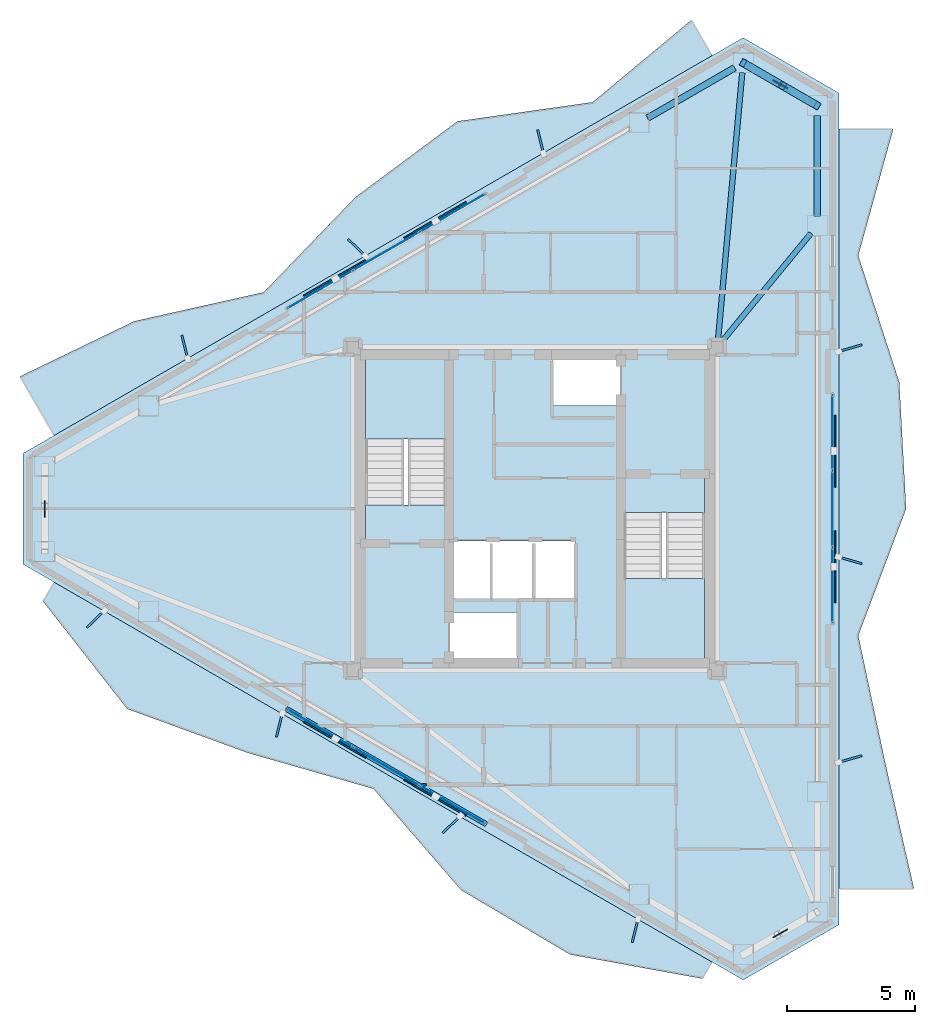
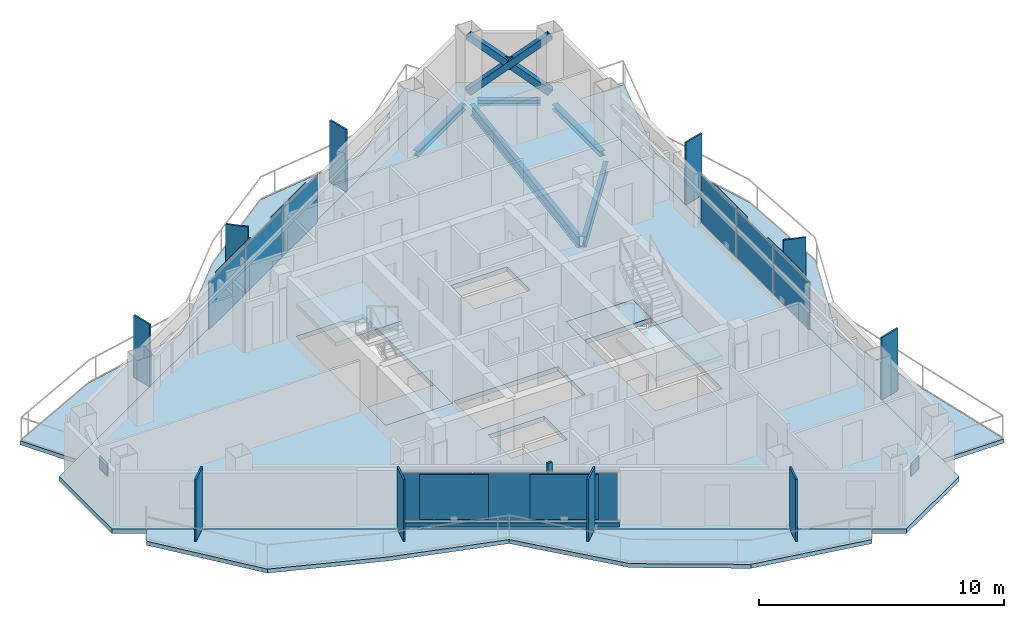
# One storey, part 15 of 22: 28 plates, 8 slabs, 5 beams, 3 members, 2 walls, 5 elements without a shape of their own.
"""IFC4 building model written with IfcOpenShell, lengths in metres."""

import ifcopenshell
import ifcopenshell.guid

model = None  # the IFC model being written
_history = None  # IfcOwnerHistory: only IFC2X3 demands one
_inside = {}  # id of a spatial element -> (the spatial element, [elements in it])
_under = {}  # id of a project, library or spatial element -> (it, [spatial elements below it])
_declared = {}  # id of a project -> (the project, [libraries it declares])
_typed = {}  # id of a type object -> (the type object, [elements of that type])
_made_of = {}  # id of a material, layer set ... -> (it, [elements and type objects made of it])


def new_model(schema):
    """Start an empty IFC model of exactly this schema.

    Asked for "IFC4X3", IfcOpenShell would pick the latest addendum, in which some entities
    have other attributes; the version numbers below select the first issue.
    IFC2X3 requires an IfcOwnerHistory on every rooted entity: one is made here for all.
    """
    global model, _history
    if schema == "IFC4X3":
        model = ifcopenshell.file(schema_version=(4, 3, 0, 0))
    else:
        model = ifcopenshell.file(schema=schema)
    _inside.clear()
    _under.clear()
    _declared.clear()
    _typed.clear()
    _made_of.clear()
    _history = None
    if model.schema == "IFC2X3":
        org = make("IfcOrganization", Name="unknown")
        user = make(
            "IfcPersonAndOrganization",
            ThePerson=make("IfcPerson", FamilyName="unknown"),
            TheOrganization=org,
        )
        app = make(
            "IfcApplication",
            ApplicationDeveloper=org,
            Version="unknown",
            ApplicationFullName="unknown",
            ApplicationIdentifier="unknown",
        )
        _history = make(
            "IfcOwnerHistory",
            OwningUser=user,
            OwningApplication=app,
            ChangeAction="ADDED",
            CreationDate=0,
        )
    return model


def make(cls, **values):
    """One entity of the class cls with the attributes given. An attribute that is None is left unset."""
    return model.create_entity(
        cls, **{name: value for name, value in values.items() if value is not None}
    )


def rooted(cls, **values):
    """An entity with a GlobalId (a new one), such as an element, a storey or a relation."""
    return make(cls, GlobalId=ifcopenshell.guid.new(), OwnerHistory=_history, **values)


def si_unit(unit_type, name, prefix=None):
    """IfcSIUnit, for example si_unit("LENGTHUNIT", "METRE", prefix="MILLI")."""
    return make("IfcSIUnit", UnitType=unit_type, Prefix=prefix, Name=name)


def assignment(units):
    """IfcUnitAssignment: the units of a project."""
    return None if units is None else make("IfcUnitAssignment", Units=units)


def point(xyz):
    """IfcCartesianPoint."""
    return None if xyz is None else make("IfcCartesianPoint", Coordinates=xyz)


def direction(xyz):
    """IfcDirection."""
    return None if xyz is None else make("IfcDirection", DirectionRatios=xyz)


def frame(location, z_axis=None, x_axis=None):
    """IfcAxis2Placement3D, a coordinate frame: its origin and axes. An axis left out is left unset."""
    return make(
        "IfcAxis2Placement3D",
        Location=point(location),
        Axis=direction(z_axis),
        RefDirection=direction(x_axis),
    )


def frame_2d(location, x_axis=None):
    """IfcAxis2Placement2D, a coordinate frame in the plane: its origin and x axis."""
    return make(
        "IfcAxis2Placement2D", Location=point(location), RefDirection=direction(x_axis)
    )


def origin():
    """The frame at (0, 0, 0) with its axes left unset."""
    return frame((0.0, 0.0, 0.0))


def origin_2d():
    """The frame at (0, 0) in the plane with its x axis left unset."""
    return frame_2d((0.0, 0.0))


def place(relative_to, where):
    """IfcLocalPlacement: puts the frame where relative to a parent placement (None: the world)."""
    return make(
        "IfcLocalPlacement", PlacementRelTo=relative_to, RelativePlacement=where
    )


def context(
    kind, dimensions, precision=None, world=None, true_north=None, identifier=None
):
    """IfcGeometricRepresentationContext, for example the 3D "Model" context."""
    return make(
        "IfcGeometricRepresentationContext",
        ContextIdentifier=identifier,
        ContextType=kind,
        CoordinateSpaceDimension=dimensions,
        Precision=precision,
        WorldCoordinateSystem=world,
        TrueNorth=true_north,
    )


def subcontext(parent, identifier, kind, view, scale=None):
    """IfcGeometricRepresentationSubContext, for example "Body" below "Model"."""
    return make(
        "IfcGeometricRepresentationSubContext",
        ContextIdentifier=identifier,
        ContextType=kind,
        ParentContext=parent,
        TargetScale=scale,
        TargetView=view,
    )


def project(units=None, contexts=None):
    """IfcProject with its units and contexts."""
    return rooted(
        "IfcProject",
        Name="project",
        RepresentationContexts=contexts,
        UnitsInContext=assignment(units),
    )


def spatial(cls, under=None, at=None, **own):
    """A site, building, storey or space (cls), placed at a placement, below another one or the project."""
    s = rooted(cls, ObjectPlacement=at, **own)
    if under is not None:
        _under.setdefault(under.id(), (under, []))[1].append(s)
    return s


def polyline(points):
    """IfcPolyline through the points."""
    return make("IfcPolyline", Points=[point(p) for p in points])


def profile(cls, at=None, kind="AREA", **sizes):
    """A parametric profile (cls). Its sizes go by their IFC names, for example OverallWidth=200.0."""
    return make(cls, ProfileType=kind, Position=at, **sizes)


def rectangle(**sizes):
    """IfcRectangleProfileDef."""
    return profile("IfcRectangleProfileDef", **sizes)


def hollow_rectangle(**sizes):
    """IfcRectangleHollowProfileDef."""
    return profile("IfcRectangleHollowProfileDef", **sizes)


def i_section(**sizes):
    """IfcIShapeProfileDef."""
    return profile("IfcIShapeProfileDef", **sizes)


def outline(outer, holes=None, kind="AREA"):
    """IfcArbitraryClosedProfileDef: a profile drawn as a closed curve; with holes, ...WithVoids."""
    if holes is None:
        return make("IfcArbitraryClosedProfileDef", ProfileType=kind, OuterCurve=outer)
    return make(
        "IfcArbitraryProfileDefWithVoids",
        ProfileType=kind,
        OuterCurve=outer,
        InnerCurves=holes,
    )


def extrude(swept, where, along, depth):
    """IfcExtrudedAreaSolid: the profile swept, set in the frame where, extruded along a direction by depth."""
    return make(
        "IfcExtrudedAreaSolid",
        SweptArea=swept,
        Position=where,
        ExtrudedDirection=direction(along),
        Depth=depth,
    )


def shape(context_of_items, identifier, shape_type, items):
    """IfcShapeRepresentation: the items that make up one representation, for example the "Body"."""
    return make(
        "IfcShapeRepresentation",
        ContextOfItems=context_of_items,
        RepresentationIdentifier=identifier,
        RepresentationType=shape_type,
        Items=items,
    )


def material(Name=None, Category=None):
    """IfcMaterial."""
    return make("IfcMaterial", Name=Name, Category=Category)


def layer(
    of_material, thickness, ventilated=None, Name=None, Category=None, Priority=None
):
    """IfcMaterialLayer: one layer of a wall or slab, of a material (None: an air gap)."""
    return make(
        "IfcMaterialLayer",
        Material=of_material,
        LayerThickness=thickness,
        IsVentilated=ventilated,
        Name=Name,
        Category=Category,
        Priority=Priority,
    )


def layer_set(layers, Name=None):
    """IfcMaterialLayerSet."""
    return make("IfcMaterialLayerSet", MaterialLayers=layers, LayerSetName=Name)


def material_profile(
    of_material, cross_section, Name=None, Category=None, Priority=None
):
    """IfcMaterialProfile: a cross section and its material."""
    return make(
        "IfcMaterialProfile",
        Name=Name,
        Material=of_material,
        Profile=cross_section,
        Priority=Priority,
        Category=Category,
    )


def profile_set(profiles, Name=None, composite=None):
    """IfcMaterialProfileSet."""
    return make(
        "IfcMaterialProfileSet",
        Name=Name,
        MaterialProfiles=profiles,
        CompositeProfile=composite,
    )


def made_of(thing, what):
    """Note that an element or type object is made of a material, layer set ...; save() writes the relation."""
    if what is not None:
        _made_of.setdefault(what.id(), (what, []))[1].append(thing)
    return thing


def type_object(cls, material=None, **own):
    """A type object (cls), such as IfcWallType, which elements share."""
    return made_of(rooted(cls, **own), material)


def element(
    cls,
    number,
    at=None,
    inside=None,
    cuts=None,
    type_object=None,
    material=None,
    context=None,
    identifier="Body",
    shape_type=None,
    held_by="IfcProductDefinitionShape",
    body=None,
    shapes=None,
    **own,
):
    """One element of the class cls, such as IfcWall. Its Tag is "e" and its number.

    at: its placement. inside: the storey or other place that contains it. cuts: it is an
    opening in that element (IfcRelVoidsElement). A single representation is given by context,
    identifier, shape_type and body (its items); several are given by shapes. held_by: the class
    of the entity that holds the representations. save() writes the other relations.
    """
    e = rooted(cls, Tag="e%d" % number, ObjectPlacement=at, **own)
    if body is not None:
        shapes = [shape(context, identifier, shape_type, body)]
    if shapes is not None:
        e.Representation = make(held_by, Representations=shapes)
    if inside is not None:
        _inside.setdefault(inside.id(), (inside, []))[1].append(e)
    if cuts is not None:
        rooted(
            "IfcRelVoidsElement", RelatingBuildingElement=cuts, RelatedOpeningElement=e
        )
    if type_object is not None:
        _typed.setdefault(type_object.id(), (type_object, []))[1].append(e)
    return made_of(e, material)


def aggregate(whole, parts):
    """IfcRelAggregates: a whole, such as a stair, and the parts it consists of."""
    return rooted("IfcRelAggregates", RelatingObject=whole, RelatedObjects=parts)


def save(model, path):
    """Write the relations noted so far, then the file.

    IfcRelAggregates (storeys below a building ...), IfcRelContainedInSpatialStructure (elements
    in a storey), IfcRelDefinesByType, IfcRelAssociatesMaterial and IfcRelDeclares: one each for
    every whole, place, type object, material and project.
    """
    for whole, parts in _under.values():
        aggregate(whole, parts)
    for where, things in _inside.values():
        rooted(
            "IfcRelContainedInSpatialStructure",
            RelatedElements=things,
            RelatingStructure=where,
        )
    for kind, things in _typed.values():
        rooted("IfcRelDefinesByType", RelatedObjects=things, RelatingType=kind)
    for what, things in _made_of.values():
        rooted("IfcRelAssociatesMaterial", RelatedObjects=things, RelatingMaterial=what)
    for by, libraries in _declared.values():
        rooted("IfcRelDeclares", RelatingContext=by, RelatedDefinitions=libraries)
    model.write(path)


model = new_model("IFC4")

# Units and contexts
model_context = context("Model", 3, precision=1e-05, world=origin(), true_north=direction((0.0, 1.0)))
body_context = subcontext(model_context, "Body", "Model", "MODEL_VIEW")
ifc_project = project(units=[si_unit("LENGTHUNIT", "METRE"), si_unit("AREAUNIT", "SQUARE_METRE"), si_unit("VOLUMEUNIT", "CUBIC_METRE"), si_unit("PLANEANGLEUNIT", "RADIAN"), si_unit("MASSUNIT", "GRAM", prefix="KILO")], contexts=[model_context])

# Site, building, storey
site_placement = place(None, origin())
site = spatial("IfcSite", under=ifc_project, at=site_placement, CompositionType="ELEMENT")
building_placement = place(site_placement, origin())
building = spatial("IfcBuilding", under=site, at=building_placement, Name="Mersakhor Tower and Convention Hall", CompositionType="ELEMENT")
storey_placement = place(building_placement, frame((0.0, 0.0, 205.199951171875)))
storey = spatial("IfcBuildingStorey", under=building, at=storey_placement, Name="L57", CompositionType="ELEMENT", Elevation=205.199951171875)

# Beams
ifc_material_1 = material(Name="Steel S355", Category="steel")
ifc_material_profile_1 = material_profile(ifc_material_1, i_section(OverallWidth=0.2099609375, OverallDepth=0.53662109375, WebThickness=0.0107421875, FlangeThickness=0.017333984375, at=origin_2d()), Name="UB 533x210x101")
ifc_profile_set_1 = profile_set([ifc_material_profile_1], Name="Steel S355")
beam_type_1 = type_object("IfcBeamType", Name="BM-FB-533", PredefinedType="BEAM", material=ifc_profile_set_1)
beam_1_placement = place(storey_placement, frame((36.125244140625, 33.328857421875, -0.498291015625), z_axis=(0.090367269821, 0.99590850812, 0.0), x_axis=(-0.99590850812, 0.090367269821, 0.0)))
element("IfcBeam", 1, at=beam_1_placement, inside=storey, type_object=beam_type_1, Name="L57 Primary Floor Girder FG-2", PredefinedType="BEAM", context=body_context, shape_type="SweptSolid", body=[
    extrude(i_section(OverallWidth=0.2099609375, OverallDepth=0.53662109375, WebThickness=0.0107421875, FlangeThickness=0.017333984375, at=origin_2d()), origin(), (0.0, 0.0, 1.0), 10.45263671875),
])
beam_2_placement = place(storey_placement, frame((36.278076171875, 33.26611328125, -0.498291015625), z_axis=(0.635588076211, 0.772028365657, 0.0), x_axis=(-0.772028365657, 0.635588076211, 0.0)))
element("IfcBeam", 2, at=beam_2_placement, inside=storey, type_object=beam_type_1, Name="L57 Primary Floor Girder FG-3", PredefinedType="BEAM", context=body_context, shape_type="SweptSolid", body=[
    extrude(i_section(OverallWidth=0.2099609375, OverallDepth=0.53662109375, WebThickness=0.0107421875, FlangeThickness=0.017333984375, at=origin_2d()), origin(), (0.0, 0.0, 1.0), 5.45751953125),
])
ifc_material_2 = material(Name="Steel S355", Category="steel")
ifc_material_profile_2 = material_profile(ifc_material_2, i_section(OverallWidth=0.25634765625, OverallDepth=0.26025390625, WebThickness=0.01025390625, FlangeThickness=0.017333984375, at=origin_2d()), Name="UC 254x254x89")
ifc_profile_set_2 = profile_set([ifc_material_profile_2], Name="Steel S355")
beam_type_2 = type_object("IfcBeamType", Name="BM-SPD-UC254", PredefinedType="SPANDREL", material=ifc_profile_set_2)
beam_3_placement = place(storey_placement, frame((33.380859375, 41.967529296875, -0.360107421875), z_axis=(0.866007153761, 0.500031608635, 0.0), x_axis=(-0.500031608635, 0.866007153761, 0.0)))
element("IfcBeam", 3, at=beam_3_placement, inside=storey, type_object=beam_type_2, Name="L57 Perimeter Spandrel Beam SPB-03", PredefinedType="SPANDREL", context=body_context, shape_type="SweptSolid", body=[
    extrude(i_section(OverallWidth=0.25634765625, OverallDepth=0.26025390625, WebThickness=0.01025390625, FlangeThickness=0.017333984375, at=origin_2d()), origin(), (0.0, 0.0, 1.0), 3.919189453125),
])
beam_4_placement = place(storey_placement, frame((37.43310546875, 43.92724609375, -0.360107421875), z_axis=(0.866036909293, -0.499980071345, 0.0), x_axis=(0.499980071345, 0.866036909293, 0.0)))
element("IfcBeam", 4, at=beam_4_placement, inside=storey, type_object=beam_type_2, Name="L57 Perimeter Spandrel Beam SPB-04", PredefinedType="SPANDREL", context=body_context, shape_type="SweptSolid", body=[
    extrude(i_section(OverallWidth=0.25634765625, OverallDepth=0.26025390625, WebThickness=0.01025390625, FlangeThickness=0.017333984375, at=origin_2d()), origin(), (0.0, 0.0, 1.0), 2.5703125),
])
beam_5_placement = place(storey_placement, frame((39.98828125, 42.072021484375, -0.360107421875), z_axis=(0.0, -1.0, 0.0), x_axis=(1.0, 0.0, 0.0)))
element("IfcBeam", 5, at=beam_5_placement, inside=storey, type_object=beam_type_2, Name="L57 Perimeter Spandrel Beam SPB-05", PredefinedType="SPANDREL", context=body_context, shape_type="SweptSolid", body=[
    extrude(i_section(OverallWidth=0.25634765625, OverallDepth=0.26025390625, WebThickness=0.01025390625, FlangeThickness=0.017333984375, at=origin_2d()), origin(), (0.0, 0.0, 1.0), 3.919189453125),
])

# Members
ifc_material_3 = material(Name="Steel S355", Category="steel")
ifc_material_profile_3 = material_profile(ifc_material_3, hollow_rectangle(XDim=0.300048828125, YDim=0.300048828125, WallThickness=0.01611328125, at=origin_2d()), Name="SHS 300x300x16")
ifc_profile_set_3 = profile_set([ifc_material_profile_3], Name="Steel S355")
member_type = type_object("IfcMemberType", Name="MB-BRC-SHS300", PredefinedType="BRACE", material=ifc_profile_set_3)
member_1_placement = place(storey_placement, frame((37.10400390625, 44.1171875, 0.150146484375), z_axis=(0.665824923443, -0.384424564314, 0.639448923429), x_axis=(0.50001011158, 0.866019565782, 0.0)))
element("IfcMember", 6, at=member_1_placement, inside=storey, type_object=member_type, Name="L57 Chamfer Braced Frame Diagonal CB-1A", PredefinedType="BRACE", context=body_context, shape_type="SweptSolid", body=[
    extrude(hollow_rectangle(XDim=0.300048828125, YDim=0.300048828125, WallThickness=0.01611328125, at=origin_2d()), origin(), (0.0, 0.0, 1.0), 4.331787109375),
])
member_2_placement = place(storey_placement, frame((39.98828125, 42.451904296875, 0.150146484375), z_axis=(-0.665763296387, 0.384506307606, 0.639463941592), x_axis=(-0.500124558158, -0.865953478154, 0.0)))
element("IfcMember", 7, at=member_2_placement, inside=storey, type_object=member_type, Name="L57 Chamfer Braced Frame Diagonal CB-1B Lower Half", PredefinedType="BRACE", context=body_context, shape_type="SweptSolid", body=[
    extrude(hollow_rectangle(XDim=0.300048828125, YDim=0.300048828125, WallThickness=0.01611328125, at=origin_2d()), origin(), (0.0, 0.0, 1.0), 2.005126953125),
])
member_3_placement = place(storey_placement, frame((38.439208984375, 43.34619140625, 1.6376953125), z_axis=(-0.665779245823, 0.384445210881, 0.639484069905), x_axis=(-0.50005597947, -0.86599308161, 0.0)))
element("IfcMember", 8, at=member_3_placement, inside=storey, type_object=member_type, Name="L57 Chamfer Braced Frame Diagonal CB-1B Upper Half", PredefinedType="BRACE", context=body_context, shape_type="SweptSolid", body=[
    extrude(hollow_rectangle(XDim=0.300048828125, YDim=0.300048828125, WallThickness=0.01611328125, at=origin_2d()), origin(), (0.0, 0.0, 1.0), 2.00537109375),
])

# Curtain wall, plates
ifc_material_4 = material(Name="Dark solar low-E aluminium curtain wall", Category="aluminium")
ifc_layer_1 = layer(ifc_material_4, 0.169921875)
ifc_layer_set_1 = layer_set([ifc_layer_1], Name="Dark solar low-E aluminium curtain wall")
curtain_wall_type = type_object("IfcCurtainWallType", Name="CW-SYS-02", PredefinedType="USERDEFINED", material=ifc_layer_set_1)
curtain_wall_1_placement = place(storey_placement, origin())
curtain_wall_1 = element("IfcCurtainWall", 9, at=curtain_wall_1_placement, inside=storey, type_object=curtain_wall_type, Name="L57 Dark-Glass Curtain Wall F1-B2", ObjectType="CURTAIN WALL", PredefinedType="USERDEFINED")
ifc_material_5 = material(Name="Dark solar double glazing", Category="glass")
ifc_layer_2 = layer(ifc_material_5, 0.028076171875)
ifc_layer_set_2 = layer_set([ifc_layer_2], Name="Dark solar double glazing")
plate_type_1 = type_object("IfcPlateType", Name="CWP-GLZ-28", PredefinedType="CURTAIN_PANEL", material=ifc_layer_set_2)
plate_1_placement = place(storey_placement, frame((20.624267578125, 35.29541015625, 0.260009765625), z_axis=(0.0, 0.0, 1.0), x_axis=(0.86602088627, 0.500007824483, 0.0)))
plate_1 = element("IfcPlate", 10, at=plate_1_placement, type_object=plate_type_1, Name="CW-02 panel 1.1", PredefinedType="CURTAIN_PANEL", context=body_context, shape_type="SweptSolid", body=[
    extrude(rectangle(XDim=2.88720703125, YDim=0.028076171875, at=origin_2d()), origin(), (0.0, 0.0, 1.0), 2.3701171875),
])
plate_2_placement = place(storey_placement, frame((23.205810546875, 36.785888671875, 0.260009765625), z_axis=(0.0, 0.0, 1.0), x_axis=(0.86602088627, 0.500007824483, 0.0)))
plate_2 = element("IfcPlate", 11, at=plate_2_placement, type_object=plate_type_1, Name="CW-02 panel 2.1", PredefinedType="CURTAIN_PANEL", context=body_context, shape_type="SweptSolid", body=[
    extrude(rectangle(XDim=2.924560546875, YDim=0.028076171875, at=origin_2d()), origin(), (0.0, 0.0, 1.0), 2.3701171875),
])
plate_3_placement = place(storey_placement, frame((25.787353515625, 38.2763671875, 0.260009765625), z_axis=(0.0, 0.0, 1.0), x_axis=(0.86602088627, 0.500007824483, 0.0)))
plate_3 = element("IfcPlate", 12, at=plate_3_placement, type_object=plate_type_1, Name="CW-02 panel 3.1", PredefinedType="CURTAIN_PANEL", context=body_context, shape_type="SweptSolid", body=[
    extrude(rectangle(XDim=2.88720703125, YDim=0.028076171875, at=origin_2d()), origin(), (0.0, 0.0, 1.0), 2.3701171875),
])
aggregate(curtain_wall_1, [plate_1, plate_2, plate_3])

curtain_wall_2_placement = place(storey_placement, origin())
curtain_wall_2 = element("IfcCurtainWall", 13, at=curtain_wall_2_placement, inside=storey, type_object=curtain_wall_type, Name="L57 Dark-Glass Curtain Wall F2-B2", ObjectType="CURTAIN WALL", PredefinedType="USERDEFINED")
plate_4_placement = place(storey_placement, frame((40.58837890625, 29.73095703125, 0.260009765625), z_axis=(0.0, 0.0, 1.0), x_axis=(0.0, -1.0, 0.0)))
plate_4 = element("IfcPlate", 14, at=plate_4_placement, type_object=plate_type_1, Name="CW-02 panel 1.1", PredefinedType="CURTAIN_PANEL", context=body_context, shape_type="SweptSolid", body=[
    extrude(rectangle(XDim=2.88720703125, YDim=0.028076171875, at=origin_2d()), origin(), (0.0, 0.0, 1.0), 2.3701171875),
])
plate_5_placement = place(storey_placement, frame((40.58837890625, 26.75, 0.260009765625), z_axis=(0.0, 0.0, 1.0), x_axis=(0.0, -1.0, 0.0)))
plate_5 = element("IfcPlate", 15, at=plate_5_placement, type_object=plate_type_1, Name="CW-02 panel 2.1", PredefinedType="CURTAIN_PANEL", context=body_context, shape_type="SweptSolid", body=[
    extrude(rectangle(XDim=2.924560546875, YDim=0.028076171875, at=origin_2d()), origin(), (0.0, 0.0, 1.0), 2.3701171875),
])
plate_6_placement = place(storey_placement, frame((40.58837890625, 23.76904296875, 0.260009765625), z_axis=(0.0, 0.0, 1.0), x_axis=(0.0, -1.0, 0.0)))
plate_6 = element("IfcPlate", 16, at=plate_6_placement, type_object=plate_type_1, Name="CW-02 panel 3.1", PredefinedType="CURTAIN_PANEL", context=body_context, shape_type="SweptSolid", body=[
    extrude(rectangle(XDim=2.88720703125, YDim=0.028076171875, at=origin_2d()), origin(), (0.0, 0.0, 1.0), 2.3701171875),
])
aggregate(curtain_wall_2, [plate_4, plate_5, plate_6])

curtain_wall_3_placement = place(storey_placement, origin())
curtain_wall_3 = element("IfcCurtainWall", 17, at=curtain_wall_3_placement, inside=storey, type_object=curtain_wall_type, Name="L57 Dark-Glass Curtain Wall F3-B2", ObjectType="CURTAIN WALL", PredefinedType="USERDEFINED")
plate_7_placement = place(storey_placement, frame((25.787353515625, 15.2236328125, 0.260009765625), z_axis=(0.0, 0.0, 1.0), x_axis=(-0.86602088627, 0.500007824483, 0.0)))
plate_7 = element("IfcPlate", 18, at=plate_7_placement, type_object=plate_type_1, Name="CW-02 panel 1.1", PredefinedType="CURTAIN_PANEL", context=body_context, shape_type="SweptSolid", body=[
    extrude(rectangle(XDim=2.88720703125, YDim=0.028076171875, at=origin_2d()), origin(), (0.0, 0.0, 1.0), 2.3701171875),
])
plate_8_placement = place(storey_placement, frame((23.205810546875, 16.714111328125, 0.260009765625), z_axis=(0.0, 0.0, 1.0), x_axis=(-0.86602088627, 0.500007824483, 0.0)))
plate_8 = element("IfcPlate", 19, at=plate_8_placement, type_object=plate_type_1, Name="CW-02 panel 2.1", PredefinedType="CURTAIN_PANEL", context=body_context, shape_type="SweptSolid", body=[
    extrude(rectangle(XDim=2.924560546875, YDim=0.028076171875, at=origin_2d()), origin(), (0.0, 0.0, 1.0), 2.3701171875),
])
plate_9_placement = place(storey_placement, frame((20.624267578125, 18.20458984375, 0.260009765625), z_axis=(0.0, 0.0, 1.0), x_axis=(-0.86602088627, 0.500007824483, 0.0)))
plate_9 = element("IfcPlate", 20, at=plate_9_placement, type_object=plate_type_1, Name="CW-02 panel 3.1", PredefinedType="CURTAIN_PANEL", context=body_context, shape_type="SweptSolid", body=[
    extrude(rectangle(XDim=2.88720703125, YDim=0.028076171875, at=origin_2d()), origin(), (0.0, 0.0, 1.0), 2.3701171875),
])
aggregate(curtain_wall_3, [plate_7, plate_8, plate_9])

# Plates
ifc_material_6 = material(Name="Ceramic-clad aluminium Zone 4 terracotta-coral", Category="masonry")
ifc_material_7 = material(Name="Ceramic-clad aluminium Zone 1 cobalt-slate", Category="masonry")
ifc_layer_3 = layer(ifc_material_7, 0.080078125)
ifc_layer_set_3 = layer_set([ifc_layer_3], Name="Ceramic-clad aluminium Zone 1 cobalt-slate")
plate_type_2 = type_object("IfcPlateType", Name="PL-FIN-80", PredefinedType="USERDEFINED", material=ifc_layer_set_3)
for number, where, z_axis, x_axis, name in (
    (21, (15.361083984375, 33.049560546875, 0.0), (0.0, 0.0, 1.0), (-0.2419218956, 0.970295726276, 0.0), "L57 Zone 4 Coloured Brise-Soleil Fin F1-1"),
    (22, (22.0625, 36.918701171875, 0.0), (0.0, 0.0, 1.0), (-0.719339800339, 0.694658370459, 0.0), "L57 Zone 4 Coloured Brise-Soleil Fin F1-2"),
    (23, (29.217529296875, 41.049560546875, 0.0), (0.0, 0.0, 1.0), (-0.2419218956, 0.970295726276, 0.0), "L57 Zone 4 Coloured Brise-Soleil Fin F1-3"),
    (24, (41.27490234375, 33.007080078125, 0.0), (0.0, 0.0, 1.0), (0.961261695938, 0.275637355817, 0.0), "L57 Zone 4 Coloured Brise-Soleil Fin F2-1"),
    (25, (41.27490234375, 24.7451171875, 0.0), (0.0, 0.0, 1.0), (0.961261695938, -0.275637355817, 0.0), "L57 Zone 4 Coloured Brise-Soleil Fin F2-2"),
    (26, (41.27490234375, 17.007080078125, 0.0), (0.0, 0.0, 1.0), (0.961261695938, 0.275637355817, 0.0), "L57 Zone 4 Coloured Brise-Soleil Fin F2-3"),
    (27, (32.89990234375, 10.324462890625, 0.0), (0.0, 0.0, 1.0), (-0.2419218956, -0.970295726276, 0.0), "L57 Zone 4 Coloured Brise-Soleil Fin F3-1"),
    (28, (25.7451171875, 14.455322265625, 0.0), (0.0, 0.0, 1.0), (-0.719339800339, -0.694658370459, 0.0), "L57 Zone 4 Coloured Brise-Soleil Fin F3-2"),
    (29, (19.043701171875, 18.324462890625, 0.0), (0.0, 0.0, 1.0), (-0.2419218956, -0.970295726276, 0.0), "L57 Zone 4 Coloured Brise-Soleil Fin F3-3"),
    (30, (11.888671875, 22.455322265625, 0.0), (0.0, 0.0, 1.0), (-0.719339800339, -0.694658370459, 0.0), "L57 Zone 4 Coloured Brise-Soleil Fin F3-4"),
):
    element("IfcPlate", number, at=place(storey_placement, frame(where, z_axis=z_axis, x_axis=x_axis)), inside=storey, type_object=plate_type_2, material=ifc_material_6, Name=name, ObjectType="FIN", PredefinedType="USERDEFINED", context=body_context, shape_type="SweptSolid", body=[
        extrude(rectangle(XDim=0.949951171875, YDim=0.080078125, at=origin_2d()), origin(), (0.0, 0.0, 1.0), 3.10009765625),
    ])
ifc_material_8 = material(Name="Steel S460", Category="steel")
ifc_layer_4 = layer(ifc_material_8, 0.0400390625)
ifc_layer_set_4 = layer_set([ifc_layer_4], Name="Steel S460")
plate_type_3 = type_object("IfcPlateType", Name="PL-GUSSET-40", PredefinedType="SHEET", material=ifc_layer_set_4)
for number, where, z_axis, x_axis, name in (
    (31, (38.54638671875, 43.28466796875, 1.21533203125), (0.0, 0.0, 1.0), (-0.866025403784, 0.5, 0.0), "L57 X-Brace Crossing Gusset Node Plate"),
    (32, (38.54638671875, 10.21533203125, 1.21533203125), (0.0, 0.0, 1.0), (0.866025403784, 0.5, 0.0), "L57 X-Brace Crossing Gusset Node Plate"),
    (33, (9.907470703125, 26.75, 1.21533203125), (0.0, 0.0, 1.0), (0.0, -1.0, 0.0), "L57 X-Brace Crossing Gusset Node Plate"),
):
    element("IfcPlate", number, at=place(storey_placement, frame(where, z_axis=z_axis, x_axis=x_axis)), inside=storey, type_object=plate_type_3, Name=name, PredefinedType="SHEET", context=body_context, shape_type="SweptSolid", body=[
        extrude(rectangle(XDim=0.639892578125, YDim=0.0400390625, at=origin_2d()), origin(), (0.0, 0.0, 1.0), 0.639892578125),
    ])
ifc_material_9 = material(Name="Perforated ceramic cobogo solar screen", Category="aluminium")
ifc_layer_5 = layer(ifc_material_9, 0.055908203125)
ifc_layer_set_5 = layer_set([ifc_layer_5], Name="Perforated ceramic cobogo solar screen")
plate_type_4 = type_object("IfcPlateType", Name="PL-SCR-56", PredefinedType="USERDEFINED", material=ifc_layer_set_5)
for number, where, z_axis, x_axis, name in (
    (34, (21.20849609375, 35.745849609375, 0.39990234375), (0.0, 0.0, 1.0), (0.866025403784, 0.5, 0.0), "L57 Perforated Ceramic Solar Screen F1-1"),
    (35, (25.10498046875, 37.99560546875, 0.39990234375), (0.0, 0.0, 1.0), (0.866025403784, 0.5, 0.0), "L57 Perforated Ceramic Solar Screen F1-2"),
    (36, (40.686279296875, 28.999755859375, 0.39990234375), (0.0, 0.0, 1.0), (0.0, -1.0, 0.0), "L57 Perforated Ceramic Solar Screen F2-1"),
    (37, (40.686279296875, 24.500244140625, 0.39990234375), (0.0, 0.0, 1.0), (0.0, -1.0, 0.0), "L57 Perforated Ceramic Solar Screen F2-2"),
    (38, (25.10498046875, 15.50439453125, 0.39990234375), (0.0, 0.0, 1.0), (-0.866025403784, 0.5, 0.0), "L57 Perforated Ceramic Solar Screen F3-1"),
    (39, (21.20849609375, 17.754150390625, 0.39990234375), (0.0, 0.0, 1.0), (-0.866025403784, 0.5, 0.0), "L57 Perforated Ceramic Solar Screen F3-2"),
):
    element("IfcPlate", number, at=place(storey_placement, frame(where, z_axis=z_axis, x_axis=x_axis)), inside=storey, type_object=plate_type_4, Name=name, ObjectType="SCREEN", PredefinedType="USERDEFINED", context=body_context, shape_type="SweptSolid", body=[
        extrude(rectangle(XDim=2.800048828125, YDim=0.055908203125, at=origin_2d()), origin(), (0.0, 0.0, 1.0), 2.239990234375),
    ])

# Slabs
ifc_material_10 = material(Name="Concrete C45/55", Category="concrete")
ifc_layer_6 = layer(ifc_material_10, 0.199951171875)
ifc_layer_set_6 = layer_set([ifc_layer_6], Name="Concrete C45/55")
slab_type_1 = type_object("IfcSlabType", Name="SL-BAL-200", PredefinedType="FLOOR", material=ifc_layer_set_6)
slab_1_placement = place(storey_placement, frame((0.0, 0.0, -0.199951171875)))
element("IfcSlab", 40, at=slab_1_placement, inside=storey, type_object=slab_type_1, Name="L57 Sinusoidal Balcony Slab Face 1", PredefinedType="FLOOR", context=body_context, shape_type="SweptSolid", body=[
    extrude(outline(polyline([(10.27001953125, 29.60595703125), (35.8916015625, 44.398681640625), (35.089599609375, 45.78759765625), (31.243896484375, 42.587158203125), (25.9794921875, 41.843505859375), (21.99560546875, 38.882080078125), (18.435546875, 35.186279296875), (13.3935546875, 34.057373046875), (8.942138671875, 31.90576171875), (10.27001953125, 29.60595703125)])), origin(), (0.0, 0.0, 1.0), 0.199951171875),
])
slab_2_placement = place(storey_placement, frame((0.0, 0.0, -0.199951171875)))
element("IfcSlab", 41, at=slab_2_placement, inside=storey, type_object=slab_type_1, Name="L57 Sinusoidal Balcony Slab Face 2", PredefinedType="FLOOR", context=body_context, shape_type="SweptSolid", body=[
    extrude(outline(polyline([(40.83837890625, 41.542724609375), (40.83837890625, 11.957275390625), (43.75830078125, 11.957275390625), (42.632568359375, 16.88818359375), (41.58837890625, 21.819091796875), (43.45068359375, 26.75), (43.185791015625, 31.680908203125), (41.58837890625, 36.61181640625), (42.95166015625, 41.542724609375), (40.83837890625, 41.542724609375)])), origin(), (0.0, 0.0, 1.0), 0.199951171875),
])
slab_3_placement = place(storey_placement, frame((0.0, 0.0, -0.199951171875)))
element("IfcSlab", 42, at=slab_3_placement, inside=storey, type_object=slab_type_1, Name="L57 Sinusoidal Balcony Slab Face 3", PredefinedType="FLOOR", context=body_context, shape_type="SweptSolid", body=[
    extrude(outline(polyline([(35.8916015625, 9.101318359375), (10.27001953125, 23.89404296875), (9.837890625, 23.145751953125), (13.11474609375, 18.959716796875), (17.818115234375, 17.244384765625), (22.705810546875, 15.84814453125), (26.12060546875, 11.90087890625), (30.3662109375, 9.392822265625), (35.5166015625, 8.451904296875), (35.8916015625, 9.101318359375)])), origin(), (0.0, 0.0, 1.0), 0.199951171875),
])
ifc_material_11 = material(Name="Concrete C40/50", Category="concrete")
ifc_layer_7 = layer(ifc_material_11, 0.22998046875)
ifc_layer_set_7 = layer_set([ifc_layer_7], Name="Concrete C40/50")
slab_type_2 = type_object("IfcSlabType", Name="SL-FLR-230", PredefinedType="FLOOR", material=ifc_layer_set_7)
slab_4_placement = place(storey_placement, frame((0.0, 0.0, -0.22998046875)))
element("IfcSlab", 43, at=slab_4_placement, inside=storey, type_object=slab_type_2, Name="L57 ST-1 Structural Stair Floor Landing", PredefinedType="LANDING", context=body_context, shape_type="SweptSolid", body=[
    extrude(outline(polyline([(25.550048828125, 25.39990234375), (25.550048828125, 26.89990234375), (22.39990234375, 26.89990234375), (22.39990234375, 25.39990234375), (25.550048828125, 25.39990234375)])), origin(), (0.0, 0.0, 1.0), 0.22998046875),
])
slab_5_placement = place(storey_placement, frame((0.0, 0.0, -0.22998046875)))
element("IfcSlab", 44, at=slab_5_placement, inside=storey, type_object=slab_type_2, Name="L57 ST-2 Structural Stair Floor Landing", PredefinedType="LANDING", context=body_context, shape_type="SweptSolid", body=[
    extrude(outline(polyline([(32.449951171875, 28.10009765625), (32.449951171875, 26.60009765625), (35.60009765625, 26.60009765625), (35.60009765625, 28.10009765625), (32.449951171875, 28.10009765625)])), origin(), (0.0, 0.0, 1.0), 0.22998046875),
])
slab_6_placement = place(storey_placement, frame((0.0, 0.0, -0.22998046875)))
element("IfcSlab", 45, at=slab_6_placement, inside=storey, type_object=slab_type_2, Name="Tower L57 Structural Floor Slab", PredefinedType="FLOOR", context=body_context, shape_type="SweptSolid", body=[
    extrude(outline(polyline([(9.0576171875, 28.906005859375), (37.10400390625, 45.0986328125), (40.83837890625, 42.942626953125), (40.83837890625, 10.557373046875), (37.10400390625, 8.4013671875), (9.0576171875, 24.593994140625), (9.0576171875, 28.906005859375)]), holes=[polyline([(25.550048828125, 25.39990234375), (25.550048828125, 32.699951171875), (22.39990234375, 32.699951171875), (22.39990234375, 25.39990234375), (25.550048828125, 25.39990234375)]), polyline([(32.449951171875, 28.10009765625), (32.449951171875, 20.800048828125), (35.60009765625, 20.800048828125), (35.60009765625, 28.10009765625), (32.449951171875, 28.10009765625)]), polyline([(25.679931640625, 20.820068359375), (25.679931640625, 22.719970703125), (28.320068359375, 22.719970703125), (28.320068359375, 20.820068359375), (25.679931640625, 20.820068359375)]), polyline([(29.679931640625, 30.780029296875), (29.679931640625, 32.679931640625), (32.320068359375, 32.679931640625), (32.320068359375, 30.780029296875), (29.679931640625, 30.780029296875)]), polyline([(25.679931640625, 23.25), (25.679931640625, 25.5), (30.570068359375, 25.5), (30.570068359375, 23.25), (25.679931640625, 23.25)])]), origin(), (0.0, 0.0, 1.0), 0.22998046875),
])

# Stair, slab
ifc_material_12 = material(Name="Concrete C45/55", Category="concrete")
stair_type = type_object("IfcStairType", Name="ST-TWR-20R", PredefinedType="HALF_TURN_STAIR", material=ifc_material_12)
stair_1_placement = place(storey_placement, origin())
stair_1 = element("IfcStair", 46, at=stair_1_placement, inside=storey, type_object=stair_type, Name="L57 Tower Protected Exit Stair ST-1", PredefinedType="HALF_TURN_STAIR")
ifc_material_13 = material(Name="Concrete C45/55", Category="concrete")
ifc_layer_8 = layer(ifc_material_13, 0.199951171875)
ifc_layer_set_8 = layer_set([ifc_layer_8], Name="Concrete C45/55")
slab_type_3 = type_object("IfcSlabType", Name="SL-LAND-200", PredefinedType="LANDING", material=ifc_layer_set_8)
slab_7_placement = place(storey_placement, frame((0.0, 0.0, 1.449951171875)))
slab_7 = element("IfcSlab", 47, at=slab_7_placement, type_object=slab_type_3, Name="ST-1 landing 1", PredefinedType="LANDING", context=body_context, shape_type="SweptSolid", body=[
    extrude(outline(polyline([(25.550048828125, 29.465087890625), (25.550048828125, 32.699951171875), (22.39990234375, 32.699951171875), (22.39990234375, 29.465087890625), (25.550048828125, 29.465087890625)])), origin(), (0.0, 0.0, 1.0), 0.2001953125),
])
aggregate(stair_1, [slab_7])

stair_2_placement = place(storey_placement, origin())
stair_2 = element("IfcStair", 48, at=stair_2_placement, inside=storey, type_object=stair_type, Name="L57 Tower Protected Exit Stair ST-2", PredefinedType="HALF_TURN_STAIR")
slab_8_placement = place(storey_placement, frame((0.0, 0.0, 1.449951171875)))
slab_8 = element("IfcSlab", 49, at=slab_8_placement, type_object=slab_type_3, Name="ST-2 landing 1", PredefinedType="LANDING", context=body_context, shape_type="SweptSolid", body=[
    extrude(outline(polyline([(32.449951171875, 24.034912109375), (32.449951171875, 20.800048828125), (35.60009765625, 20.800048828125), (35.60009765625, 24.034912109375), (32.449951171875, 24.034912109375)])), origin(), (0.0, 0.0, 1.0), 0.2001953125),
])
aggregate(stair_2, [slab_8])

# Walls
ifc_material_14 = material(Name="Precast concrete C40/50", Category="concrete")
ifc_layer_9 = layer(ifc_material_14, 0.199951171875)
ifc_layer_set_9 = layer_set([ifc_layer_9], Name="Precast concrete C40/50")
wall_type_1 = type_object("IfcWallType", Name="WL-PAR-200", PredefinedType="PARAPET", material=ifc_layer_set_9)
wall_1_placement = place(storey_placement, frame((27.102294921875, 14.46435546875, 0.0), z_axis=(0.0, 0.0, 1.0), x_axis=(-0.866020680503, 0.500008180874, 0.0)))
element("IfcWall", 50, at=wall_1_placement, inside=storey, type_object=wall_type_1, Name="L57 Curtain Wall Upstand Sill F3-B2", PredefinedType="PARAPET", context=body_context, shape_type="SweptSolid", body=[
    extrude(rectangle(XDim=8.998779296875, YDim=0.199951171875, at=frame_2d((4.49951171875, 0.0))), origin(), (0.0, 0.0, 1.0), 0.199951171875),
])
ifc_material_15 = material(Name="Lightweight gypsum partition", Category="other")
ifc_layer_10 = layer(ifc_material_15, 0.10009765625)
ifc_layer_set_10 = layer_set([ifc_layer_10], Name="Lightweight gypsum partition")
wall_type_2 = type_object("IfcWallType", Name="WL-PRT-100", PredefinedType="PARTITIONING", material=ifc_layer_set_10)
wall_2_placement = place(storey_placement, frame((24.800048828125, 16.0, 0.0), z_axis=(0.0, 0.0, 1.0), x_axis=(-1.0, 0.0, 0.0)))
element("IfcWall", 51, at=wall_2_placement, inside=storey, type_object=wall_type_2, Name="L57 Interior Partition Wall P-090", PredefinedType="PARTITIONING", context=body_context, shape_type="SweptSolid", body=[
    extrude(rectangle(XDim=0.213134765625, YDim=0.10009765625, at=frame_2d((0.1064453125, 0.0))), origin(), (0.0, 0.0, 1.0), 3.070068359375),
])

save(model, "model.ifc")
